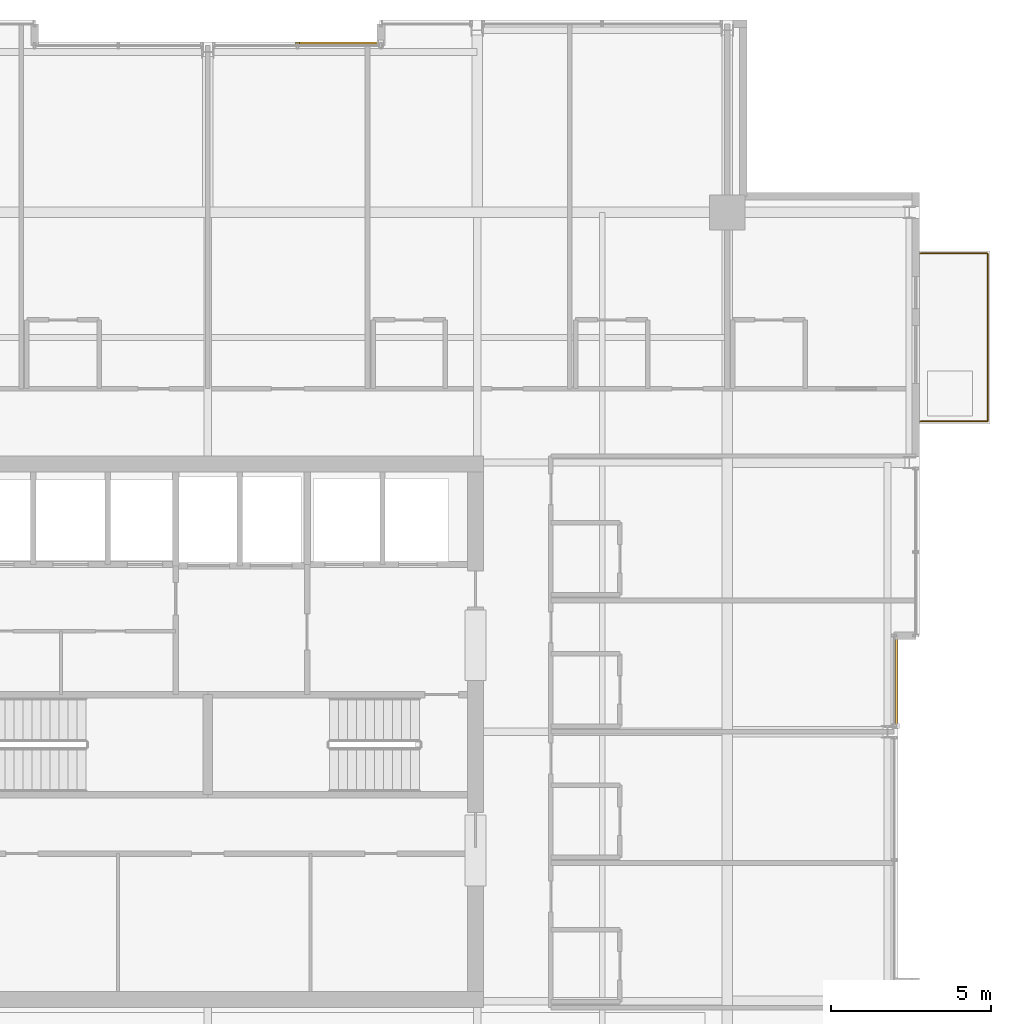
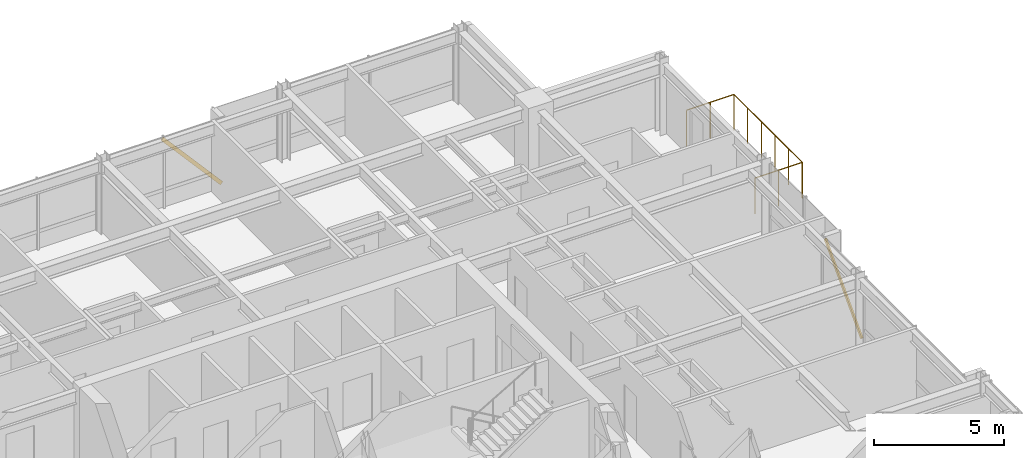
# One storey, part 33 of 33: 2 shading devices, 1 railing.
"""IFC4 building model written with IfcOpenShell, lengths in metres."""

from ifc_helpers import new_model, si_unit, direction, frame, origin, origin_2d, place, context, subcontext, project, spatial, hollow_rectangle, circle, extrude, material, material_profile, profile_set, type_object, element, save


model = new_model("IFC4")

# Units and contexts
model_context = context("Model", 3, precision=1e-05, world=origin(), true_north=direction((0.0, 1.0)))
body_context = subcontext(model_context, "Body", "Model", "MODEL_VIEW")
ifc_project = project(units=[si_unit("LENGTHUNIT", "METRE"), si_unit("AREAUNIT", "SQUARE_METRE"), si_unit("VOLUMEUNIT", "CUBIC_METRE"), si_unit("PLANEANGLEUNIT", "RADIAN"), si_unit("MASSUNIT", "GRAM", prefix="KILO")], contexts=[model_context])

# Site, building, storey
site_placement = place(None, origin())
site = spatial("IfcSite", under=ifc_project, at=site_placement, CompositionType="ELEMENT")
building_placement = place(site_placement, origin())
building = spatial("IfcBuilding", under=site, at=building_placement, Name="Drelvath Grand Hotel", CompositionType="ELEMENT")
storey_placement = place(building_placement, frame((0.0, 0.0, 212.300048828125)))
storey = spatial("IfcBuildingStorey", under=building, at=storey_placement, Name="L55", CompositionType="ELEMENT", Elevation=212.300048828125)

# Shading devices
ifc_material_1 = material(Name="Platinum-Mist Anodised Aluminium", Category="aluminium")
ifc_material_profile = material_profile(ifc_material_1, hollow_rectangle(XDim=0.06494140625, YDim=0.159912109375, WallThickness=0.00390625, at=origin_2d()), Name="HSS160X65X4")
ifc_profile_set = profile_set([ifc_material_profile], Name="Platinum-Mist Anodised Aluminium")
shading_device_type = type_object("IfcShadingDeviceType", Name="Diagonal Solar Fin Platinum Anodised HSS160X65X4", PredefinedType="USERDEFINED", material=ifc_profile_set)
shading_device_1_placement = place(storey_placement, frame((21.47998046875, 27.185302734375, 0.179931640625), z_axis=(0.0, 0.686658509865, 0.726980117218), x_axis=(-1.0, 0.0, 0.0)))
element("IfcShadingDevice", 1, at=shading_device_1_placement, inside=storey, type_object=shading_device_type, Name="L55 Diagonal Anodised Fin CW05-L55-EM2", ObjectType="FIN", PredefinedType="USERDEFINED", context=body_context, shape_type="SweptSolid", body=[
    extrude(hollow_rectangle(XDim=0.06494140625, YDim=0.159912109375, WallThickness=0.00390625, at=origin_2d()), origin(), (0.0, 0.0, 1.0), 4.09912109375),
])
shading_device_2_placement = place(storey_placement, frame((5.39990234375, 48.47998046875, 0.179931640625), z_axis=(-0.658460954074, 0.0, 0.752614889542), x_axis=(0.0, -1.0, 0.0)))
element("IfcShadingDevice", 2, at=shading_device_2_placement, inside=storey, type_object=shading_device_type, Name="L55 Diagonal Anodised Fin CW05-L55-NM2", ObjectType="FIN", PredefinedType="USERDEFINED", context=body_context, shape_type="SweptSolid", body=[
    extrude(hollow_rectangle(XDim=0.06494140625, YDim=0.159912109375, WallThickness=0.00390625, at=origin_2d()), origin(), (0.0, 0.0, 1.0), 3.95947265625),
])

# Railing
ifc_material_2 = material(Name="Anodised Aluminium and Laminated Glass Balustrade", Category="aluminium")
railing_type = type_object("IfcRailingType", Name="Raised Planter Edge Balustrade 1700", PredefinedType="BALUSTRADE", material=ifc_material_2)
railing_placement = place(storey_placement, frame((22.219970703125, 36.679931640625, 0.0)))
element("IfcRailing", 3, at=railing_placement, inside=storey, type_object=railing_type, Name="L55 Tree Balcony Perimeter Balustrade 1", PredefinedType="BALUSTRADE", context=body_context, shape_type="SweptSolid", body=[
    extrude(circle(Radius=0.02392578125, at=origin_2d()), frame((0.0, 0.0, 1.67578125), z_axis=(1.0, 0.0, 0.0), x_axis=(0.0, 1.0, 0.0)), (0.0, 0.0, 1.0), 2.10009765625),
    extrude(circle(Radius=0.02392578125, at=origin_2d()), frame((2.10009765625, 0.0, 1.67578125), z_axis=(0.0, 1.0, 0.0), x_axis=(-1.0, 0.0, 0.0)), (0.0, 0.0, 1.0), 5.239990234375),
    extrude(circle(Radius=0.02392578125, at=origin_2d()), frame((2.10009765625, 5.239990234375, 1.67578125), z_axis=(-1.0, 0.0, 0.0), x_axis=(0.0, -1.0, 0.0)), (0.0, 0.0, 1.0), 2.10009765625),
    extrude(circle(Radius=0.02099609375, at=origin_2d()), origin(), (0.0, 0.0, 1.0), 1.65185546875),
    extrude(circle(Radius=0.02099609375, at=origin_2d()), frame((1.050048828125, 0.0, 0.0)), (0.0, 0.0, 1.0), 1.65185546875),
    extrude(circle(Radius=0.02099609375, at=origin_2d()), frame((2.10009765625, 0.0, 0.0)), (0.0, 0.0, 1.0), 1.65185546875),
    extrude(circle(Radius=0.02099609375, at=origin_2d()), frame((2.10009765625, 1.048095703125, 0.0)), (0.0, 0.0, 1.0), 1.65185546875),
    extrude(circle(Radius=0.02099609375, at=origin_2d()), frame((2.10009765625, 2.095947265625, 0.0)), (0.0, 0.0, 1.0), 1.65185546875),
    extrude(circle(Radius=0.02099609375, at=origin_2d()), frame((2.10009765625, 3.14404296875, 0.0)), (0.0, 0.0, 1.0), 1.65185546875),
    extrude(circle(Radius=0.02099609375, at=origin_2d()), frame((2.10009765625, 4.19189453125, 0.0)), (0.0, 0.0, 1.0), 1.65185546875),
    extrude(circle(Radius=0.02099609375, at=origin_2d()), frame((2.10009765625, 5.239990234375, 0.0)), (0.0, 0.0, 1.0), 1.65185546875),
    extrude(circle(Radius=0.02099609375, at=origin_2d()), frame((1.050048828125, 5.239990234375, 0.0)), (0.0, 0.0, 1.0), 1.65185546875),
    extrude(circle(Radius=0.02099609375, at=origin_2d()), frame((0.0, 5.239990234375, 0.0)), (0.0, 0.0, 1.0), 1.65185546875),
])

save(model, "model.ifc")
